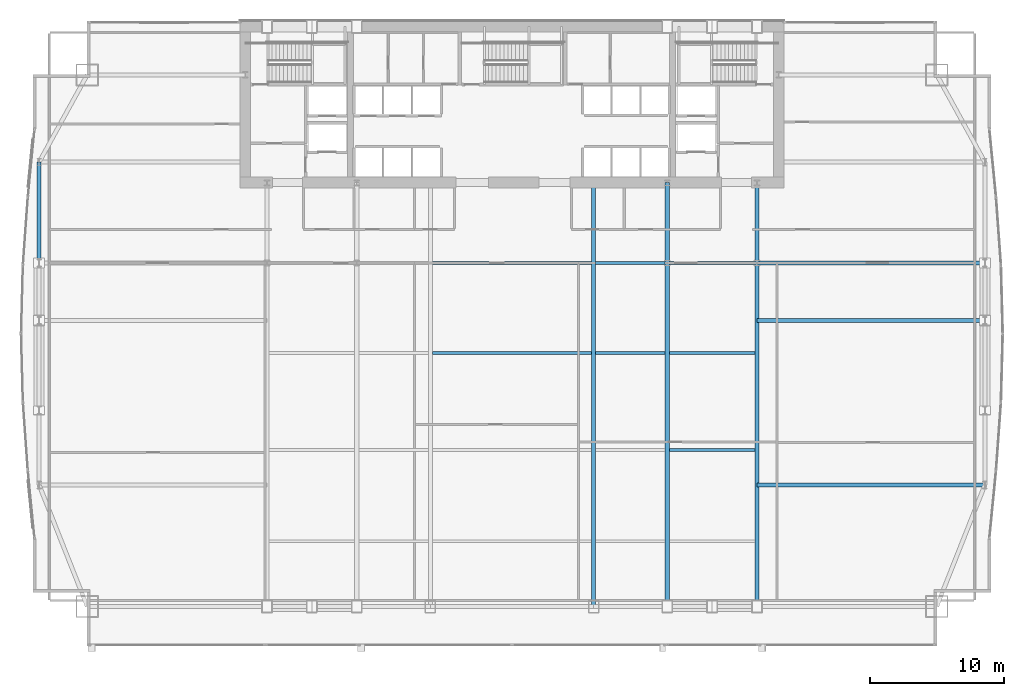
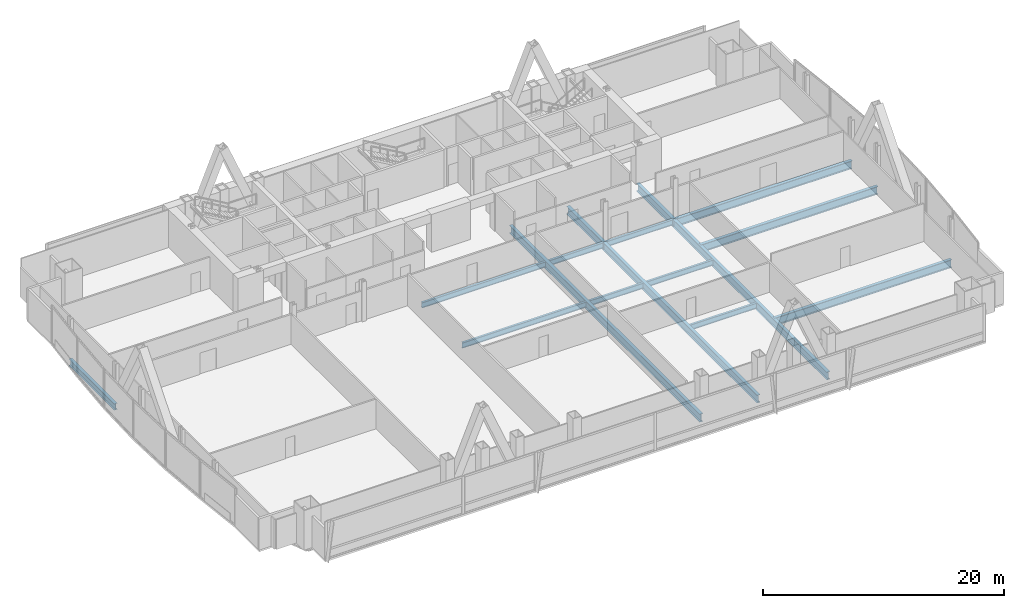
# One storey, part 15 of 33: 16 beams.
"""IFC4 building model written with IfcOpenShell, lengths in metres."""

from ifc_helpers import new_model, si_unit, direction, frame, origin, origin_2d, place, context, subcontext, project, spatial, i_section, extrude, material, material_profile, profile_set, type_object, element, save


model = new_model("IFC4")

# Units and contexts
model_context = context("Model", 3, precision=1e-05, world=origin(), true_north=direction((0.0, 1.0)))
body_context = subcontext(model_context, "Body", "Model", "MODEL_VIEW")
ifc_project = project(units=[si_unit("LENGTHUNIT", "METRE"), si_unit("AREAUNIT", "SQUARE_METRE"), si_unit("VOLUMEUNIT", "CUBIC_METRE"), si_unit("PLANEANGLEUNIT", "RADIAN"), si_unit("MASSUNIT", "GRAM", prefix="KILO")], contexts=[model_context])

# Site, building, storey
site_placement = place(None, origin())
site = spatial("IfcSite", under=ifc_project, at=site_placement, CompositionType="ELEMENT")
building_placement = place(site_placement, origin())
building = spatial("IfcBuilding", under=site, at=building_placement, Name="Khoronbel Lancet Exchange", CompositionType="ELEMENT")
storey_placement = place(building_placement, frame((0.0, 0.0, 73.800048828125)))
storey = spatial("IfcBuildingStorey", under=building, at=storey_placement, Name="L17", CompositionType="ELEMENT", Elevation=73.800048828125)

# Beams
ifc_material = material(Name="Steel S355", Category="steel")
ifc_material_profile_1 = material_profile(ifc_material, i_section(OverallWidth=0.300048828125, OverallDepth=0.800048828125, WebThickness=0.017578125, FlangeThickness=0.032958984375, at=origin_2d()), Name="HEB 800")
ifc_profile_set_1 = profile_set([ifc_material_profile_1], Name="Steel S355")
beam_type_1 = type_object("IfcBeamType", Name="BM-BG2", PredefinedType="BEAM", material=ifc_profile_set_1)
beam_1_placement = place(storey_placement, frame((42.52490234375, 10.14990234375, -0.580078125), z_axis=(0.0, 1.0, 0.0), x_axis=(-1.0, 0.0, 0.0)))
element("IfcBeam", 1, at=beam_1_placement, inside=storey, type_object=beam_type_1, Name="Level L17 primary floor girder G4", PredefinedType="BEAM", context=body_context, shape_type="SweptSolid", body=[
    extrude(i_section(OverallWidth=0.300048828125, OverallDepth=0.800048828125, WebThickness=0.017578125, FlangeThickness=0.032958984375, at=origin_2d()), origin(), (0.0, 0.0, 1.0), 31.550048828125),
])
beam_2_placement = place(storey_placement, frame((48.0, 10.14990234375, -0.580078125), z_axis=(0.0, 1.0, 0.0), x_axis=(-1.0, 0.0, 0.0)))
element("IfcBeam", 2, at=beam_2_placement, inside=storey, type_object=beam_type_1, Name="Level L17 south primary girder GS5", PredefinedType="BEAM", context=body_context, shape_type="SweptSolid", body=[
    extrude(i_section(OverallWidth=0.300048828125, OverallDepth=0.800048828125, WebThickness=0.017578125, FlangeThickness=0.032958984375, at=origin_2d()), origin(), (0.0, 0.0, 1.0), 25.550048828125),
])
beam_3_placement = place(storey_placement, frame((48.0, 35.699951171875, -0.580078125), z_axis=(0.0, 1.0, 0.0), x_axis=(-1.0, 0.0, 0.0)))
element("IfcBeam", 3, at=beam_3_placement, inside=storey, type_object=beam_type_1, Name="Level L17 spine tie girder GN5", PredefinedType="BEAM", context=body_context, shape_type="SweptSolid", body=[
    extrude(i_section(OverallWidth=0.300048828125, OverallDepth=0.800048828125, WebThickness=0.017578125, FlangeThickness=0.032958984375, at=origin_2d()), origin(), (0.0, 0.0, 1.0), 6.0),
])
beam_4_placement = place(storey_placement, frame((54.675048828125, 10.14990234375, -0.580078125), z_axis=(0.0, 1.0, 0.0), x_axis=(-1.0, 0.0, 0.0)))
element("IfcBeam", 4, at=beam_4_placement, inside=storey, type_object=beam_type_1, Name="Level L17 south primary girder GS6", PredefinedType="BEAM", context=body_context, shape_type="SweptSolid", body=[
    extrude(i_section(OverallWidth=0.300048828125, OverallDepth=0.800048828125, WebThickness=0.017578125, FlangeThickness=0.032958984375, at=origin_2d()), origin(), (0.0, 0.0, 1.0), 25.550048828125),
])
beam_5_placement = place(storey_placement, frame((54.675048828125, 35.699951171875, -0.580078125), z_axis=(0.0, 1.0, 0.0), x_axis=(-1.0, 0.0, 0.0)))
element("IfcBeam", 5, at=beam_5_placement, inside=storey, type_object=beam_type_1, Name="Level L17 spine tie girder GN6", PredefinedType="BEAM", context=body_context, shape_type="SweptSolid", body=[
    extrude(i_section(OverallWidth=0.300048828125, OverallDepth=0.800048828125, WebThickness=0.017578125, FlangeThickness=0.032958984375, at=origin_2d()), origin(), (0.0, 0.0, 1.0), 6.0),
])
for number, where, z_axis, x_axis, name in (
    (6, (54.675048828125, 19.199951171875, -0.580078125), (1.0, 0.0, 0.0), (0.0, 1.0, 0.0), "Level L17 east lens tie girder LG1E"),
    (7, (54.675048828125, 31.425048828125, -0.580078125), (1.0, 0.0, 0.0), (0.0, 1.0, 0.0), "Level L17 east lens tie girder LG2E"),
    (8, (54.675048828125, 35.699951171875, -0.580078125), (1.0, 0.0, 0.0), (0.0, 1.0, 0.0), "Level L17 east lens tie girder LG4E"),
):
    element("IfcBeam", number, at=place(storey_placement, frame(where, z_axis=z_axis, x_axis=x_axis)), inside=storey, type_object=beam_type_1, Name=name, PredefinedType="BEAM", context=body_context, shape_type="SweptSolid", body=[
        extrude(i_section(OverallWidth=0.300048828125, OverallDepth=0.800048828125, WebThickness=0.017578125, FlangeThickness=0.032958984375, at=origin_2d()), origin(), (0.0, 0.0, 1.0), 16.954833984375),
    ])
ifc_material_profile_2 = material_profile(ifc_material, i_section(OverallWidth=0.2099609375, OverallDepth=0.550048828125, WebThickness=0.010986328125, FlangeThickness=0.01708984375, at=origin_2d()), Name="IPE 550")
ifc_profile_set_2 = profile_set([ifc_material_profile_2], Name="Steel S355")
beam_type_2 = type_object("IfcBeamType", Name="BM-BJ2", PredefinedType="JOIST", material=ifc_profile_set_2)
beam_6_placement = place(storey_placement, frame((48.14990234375, 21.800048828125, -0.455078125), z_axis=(1.0, 0.0, 0.0), x_axis=(0.0, 1.0, 0.0)))
element("IfcBeam", 9, at=beam_6_placement, inside=storey, type_object=beam_type_2, Name="Level L17 secondary composite joist J10", PredefinedType="JOIST", context=body_context, shape_type="SweptSolid", body=[
    extrude(i_section(OverallWidth=0.2099609375, OverallDepth=0.550048828125, WebThickness=0.010986328125, FlangeThickness=0.01708984375, at=origin_2d()), origin(), (0.0, 0.0, 1.0), 6.375),
])
beam_7_placement = place(storey_placement, frame((30.52490234375, 29.0, -0.455078125), z_axis=(1.0, 0.0, 0.0), x_axis=(0.0, 1.0, 0.0)))
element("IfcBeam", 10, at=beam_7_placement, inside=storey, type_object=beam_type_2, Name="Level L17 secondary composite joist J13", PredefinedType="JOIST", context=body_context, shape_type="SweptSolid", body=[
    extrude(i_section(OverallWidth=0.2099609375, OverallDepth=0.550048828125, WebThickness=0.010986328125, FlangeThickness=0.01708984375, at=origin_2d()), origin(), (0.0, 0.0, 1.0), 11.85009765625),
])
beam_8_placement = place(storey_placement, frame((42.675048828125, 29.0, -0.455078125), z_axis=(1.0, 0.0, 0.0), x_axis=(0.0, 1.0, 0.0)))
element("IfcBeam", 11, at=beam_8_placement, inside=storey, type_object=beam_type_2, Name="Level L17 secondary composite joist J14", PredefinedType="JOIST", context=body_context, shape_type="SweptSolid", body=[
    extrude(i_section(OverallWidth=0.2099609375, OverallDepth=0.550048828125, WebThickness=0.010986328125, FlangeThickness=0.01708984375, at=origin_2d()), origin(), (0.0, 0.0, 1.0), 5.175048828125),
])
beam_9_placement = place(storey_placement, frame((48.14990234375, 29.0, -0.455078125), z_axis=(1.0, 0.0, 0.0), x_axis=(0.0, 1.0, 0.0)))
element("IfcBeam", 12, at=beam_9_placement, inside=storey, type_object=beam_type_2, Name="Level L17 secondary composite joist J15", PredefinedType="JOIST", context=body_context, shape_type="SweptSolid", body=[
    extrude(i_section(OverallWidth=0.2099609375, OverallDepth=0.550048828125, WebThickness=0.010986328125, FlangeThickness=0.01708984375, at=origin_2d()), origin(), (0.0, 0.0, 1.0), 6.375),
])
beam_10_placement = place(storey_placement, frame((30.52490234375, 35.699951171875, -0.455078125), z_axis=(1.0, 0.0, 0.0), x_axis=(0.0, 1.0, 0.0)))
element("IfcBeam", 13, at=beam_10_placement, inside=storey, type_object=beam_type_2, Name="Level L17 secondary composite joist J18", PredefinedType="JOIST", context=body_context, shape_type="SweptSolid", body=[
    extrude(i_section(OverallWidth=0.2099609375, OverallDepth=0.550048828125, WebThickness=0.010986328125, FlangeThickness=0.01708984375, at=origin_2d()), origin(), (0.0, 0.0, 1.0), 11.85009765625),
])
beam_11_placement = place(storey_placement, frame((42.675048828125, 35.699951171875, -0.455078125), z_axis=(1.0, 0.0, 0.0), x_axis=(0.0, 1.0, 0.0)))
element("IfcBeam", 14, at=beam_11_placement, inside=storey, type_object=beam_type_2, Name="Level L17 secondary composite joist J19", PredefinedType="JOIST", context=body_context, shape_type="SweptSolid", body=[
    extrude(i_section(OverallWidth=0.2099609375, OverallDepth=0.550048828125, WebThickness=0.010986328125, FlangeThickness=0.01708984375, at=origin_2d()), origin(), (0.0, 0.0, 1.0), 5.175048828125),
])
beam_12_placement = place(storey_placement, frame((48.14990234375, 35.699951171875, -0.455078125), z_axis=(1.0, 0.0, 0.0), x_axis=(0.0, 1.0, 0.0)))
element("IfcBeam", 15, at=beam_12_placement, inside=storey, type_object=beam_type_2, Name="Level L17 secondary composite joist J20", PredefinedType="JOIST", context=body_context, shape_type="SweptSolid", body=[
    extrude(i_section(OverallWidth=0.2099609375, OverallDepth=0.550048828125, WebThickness=0.010986328125, FlangeThickness=0.01708984375, at=origin_2d()), origin(), (0.0, 0.0, 1.0), 6.375),
])
ifc_material_profile_3 = material_profile(ifc_material, i_section(OverallWidth=0.300048828125, OverallDepth=0.64990234375, WebThickness=0.01611328125, FlangeThickness=0.031005859375, at=origin_2d()), Name="HEB 650")
ifc_profile_set_3 = profile_set([ifc_material_profile_3], Name="Steel S355")
beam_type_3 = type_object("IfcBeamType", Name="BM-BSP1", PredefinedType="SPANDREL", material=ifc_profile_set_3)
beam_13_placement = place(storey_placement, frame((1.27001953125, 43.199951171875, -0.505126953125), z_axis=(0.0, -1.0, 0.0), x_axis=(1.0, 0.0, 0.0)))
element("IfcBeam", 16, at=beam_13_placement, inside=storey, type_object=beam_type_3, Name="Level L17 perimeter spandrel beam SP17", PredefinedType="SPANDREL", context=body_context, shape_type="SweptSolid", body=[
    extrude(i_section(OverallWidth=0.300048828125, OverallDepth=0.64990234375, WebThickness=0.01611328125, FlangeThickness=0.031005859375, at=origin_2d()), origin(), (0.0, 0.0, 1.0), 7.5),
])

save(model, "model.ifc")
